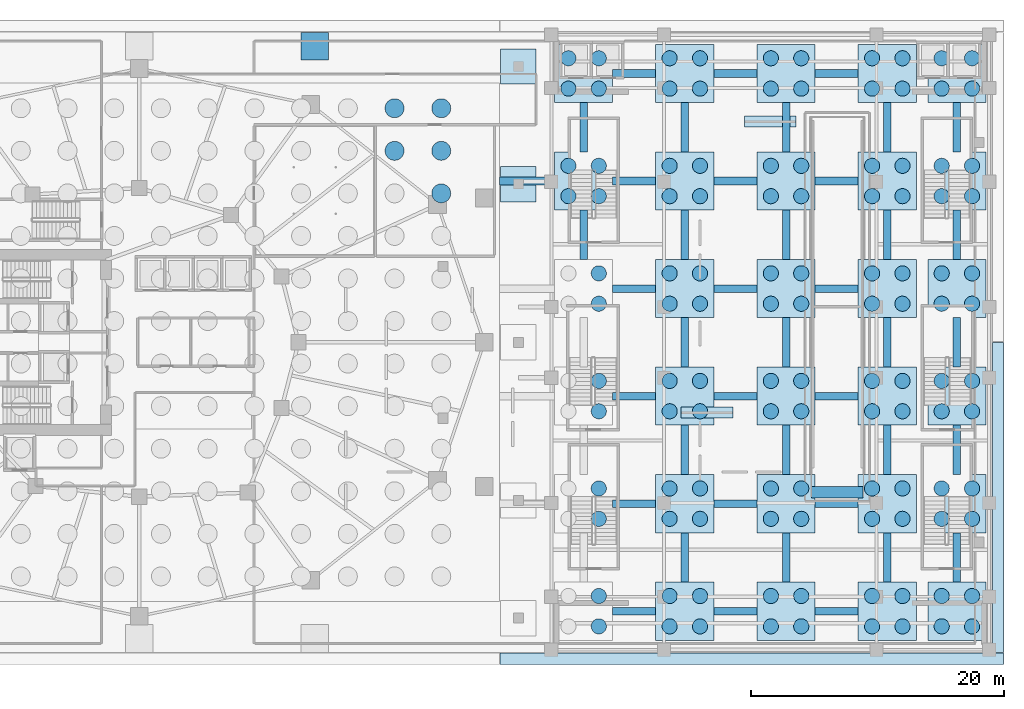
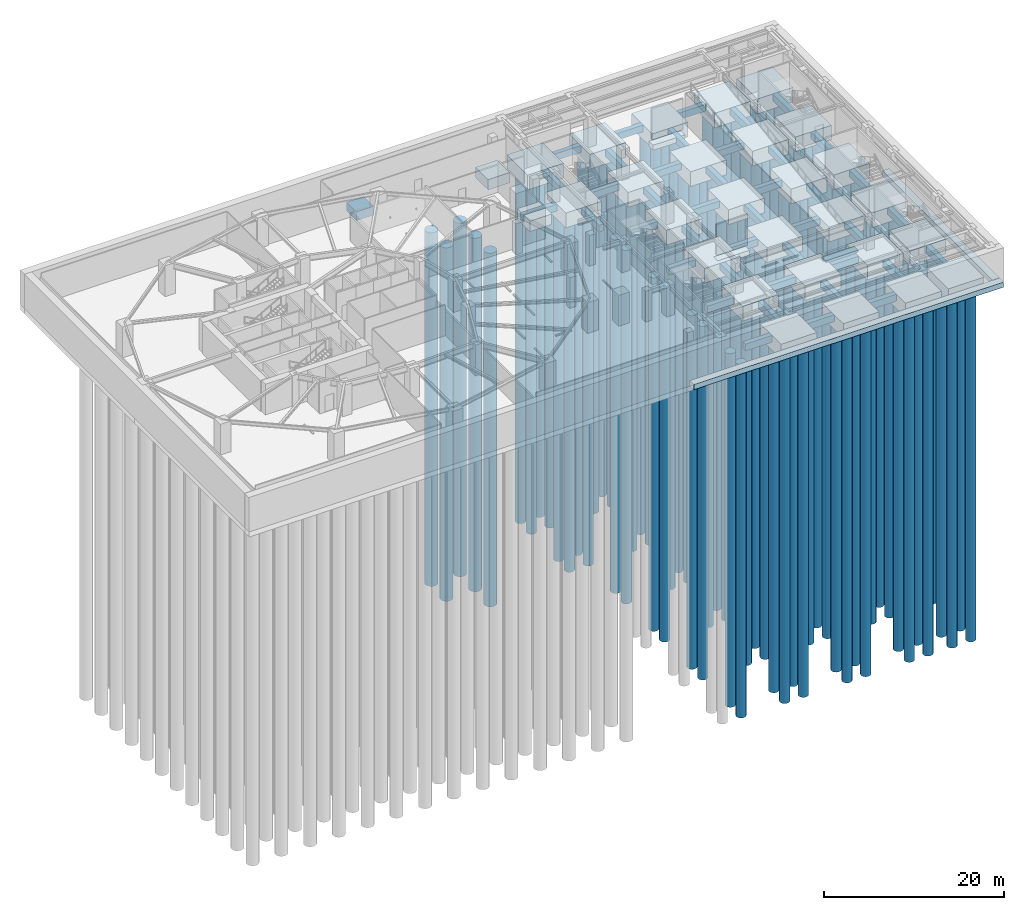
# One storey, part 2 of 19: 117 piles, 75 footings.
"""IFC4 building model written with IfcOpenShell, lengths in metres."""

from ifc_helpers import new_model, si_unit, direction, frame, origin, origin_2d, place, context, subcontext, project, spatial, polyline, rectangle, circle, outline, extrude, material, material_profile, profile_set, type_object, element, save


model = new_model("IFC4")

# Units and contexts
model_context = context("Model", 3, precision=1e-05, world=origin(), true_north=direction((0.0, 1.0)))
body_context = subcontext(model_context, "Body", "Model", "MODEL_VIEW")
ifc_project = project(units=[si_unit("LENGTHUNIT", "METRE"), si_unit("AREAUNIT", "SQUARE_METRE"), si_unit("VOLUMEUNIT", "CUBIC_METRE"), si_unit("PLANEANGLEUNIT", "RADIAN"), si_unit("MASSUNIT", "GRAM", prefix="KILO")], contexts=[model_context])

# Site, building, storey
site_placement = place(None, origin())
site = spatial("IfcSite", under=ifc_project, at=site_placement, CompositionType="ELEMENT")
building_placement = place(site_placement, origin())
building = spatial("IfcBuilding", under=site, at=building_placement, Name="Kolvaren Gate Tower and Convention Centre", CompositionType="ELEMENT")
storey_placement = place(building_placement, frame((0.0, 0.0, -13.5)))
storey = spatial("IfcBuildingStorey", under=building, at=storey_placement, Name="B3", CompositionType="ELEMENT", Elevation=-13.5)

# Footings
ifc_material_1 = material(Name="Concrete C50/60", Category="concrete")
ifc_material_profile_1 = material_profile(ifc_material_1, rectangle(XDim=0.60009765625, YDim=0.89990234375, at=origin_2d()), Name="RC-BM-600X900")
ifc_profile_set_1 = profile_set([ifc_material_profile_1], Name="Concrete C50/60")
footing_type_1 = type_object("IfcFootingType", Name="FND-GB-600X900", PredefinedType="FOOTING_BEAM", material=ifc_profile_set_1)
for number, where, z_axis, x_axis, name in (
    (1, (67.550048828125, 5.75, -0.949951171875), (1.0, 0.0, 0.0), (0.0, 1.0, 0.0), "Substructure Ground Tie Beam GB-001"),
    (2, (75.550048828125, 5.75, -0.949951171875), (1.0, 0.0, 0.0), (0.0, 1.0, 0.0), "Substructure Ground Tie Beam GB-002"),
    (3, (83.550048828125, 5.75, -0.949951171875), (1.0, 0.0, 0.0), (0.0, 1.0, 0.0), "Substructure Ground Tie Beam GB-003"),
    (4, (67.550048828125, 14.25, -0.949951171875), (1.0, 0.0, 0.0), (0.0, 1.0, 0.0), "Substructure Ground Tie Beam GB-005"),
    (5, (75.550048828125, 14.25, -0.949951171875), (1.0, 0.0, 0.0), (0.0, 1.0, 0.0), "Substructure Ground Tie Beam GB-006"),
    (6, (83.550048828125, 14.25, -0.949951171875), (1.0, 0.0, 0.0), (0.0, 1.0, 0.0), "Substructure Ground Tie Beam GB-007"),
    (7, (67.550048828125, 22.75, -0.949951171875), (1.0, 0.0, 0.0), (0.0, 1.0, 0.0), "Substructure Ground Tie Beam GB-009"),
    (8, (75.550048828125, 22.75, -0.949951171875), (1.0, 0.0, 0.0), (0.0, 1.0, 0.0), "Substructure Ground Tie Beam GB-010"),
    (9, (83.550048828125, 22.75, -0.949951171875), (1.0, 0.0, 0.0), (0.0, 1.0, 0.0), "Substructure Ground Tie Beam GB-011"),
    (10, (67.550048828125, 31.25, -0.949951171875), (1.0, 0.0, 0.0), (0.0, 1.0, 0.0), "Substructure Ground Tie Beam GB-013"),
    (11, (75.550048828125, 31.25, -0.949951171875), (1.0, 0.0, 0.0), (0.0, 1.0, 0.0), "Substructure Ground Tie Beam GB-014"),
    (12, (83.550048828125, 31.25, -0.949951171875), (1.0, 0.0, 0.0), (0.0, 1.0, 0.0), "Substructure Ground Tie Beam GB-015"),
):
    element("IfcFooting", number, at=place(storey_placement, frame(where, z_axis=z_axis, x_axis=x_axis)), inside=storey, type_object=footing_type_1, Name=name, PredefinedType="FOOTING_BEAM", context=body_context, shape_type="SweptSolid", body=[
        extrude(rectangle(XDim=0.60009765625, YDim=0.89990234375, at=origin_2d()), origin(), (0.0, 0.0, 1.0), 3.39990234375),
    ])
footing_1_placement = place(storey_placement, frame((58.60009765625, 39.75, -0.949951171875), z_axis=(1.0, 0.0, 0.0), x_axis=(0.0, 1.0, 0.0)))
element("IfcFooting", 13, at=footing_1_placement, inside=storey, type_object=footing_type_1, Name="Substructure Ground Tie Beam GB-016", PredefinedType="FOOTING_BEAM", context=body_context, shape_type="SweptSolid", body=[
    extrude(rectangle(XDim=0.60009765625, YDim=0.89990234375, at=origin_2d()), origin(), (0.0, 0.0, 1.0), 4.349853515625),
])
for number, where, z_axis, x_axis, name in (
    (14, (67.550048828125, 39.75, -0.949951171875), (1.0, 0.0, 0.0), (0.0, 1.0, 0.0), "Substructure Ground Tie Beam GB-017"),
    (15, (75.550048828125, 39.75, -0.949951171875), (1.0, 0.0, 0.0), (0.0, 1.0, 0.0), "Substructure Ground Tie Beam GB-018"),
    (16, (83.550048828125, 39.75, -0.949951171875), (1.0, 0.0, 0.0), (0.0, 1.0, 0.0), "Substructure Ground Tie Beam GB-019"),
    (17, (67.550048828125, 48.25, -0.949951171875), (1.0, 0.0, 0.0), (0.0, 1.0, 0.0), "Substructure Ground Tie Beam GB-020"),
    (18, (75.550048828125, 48.25, -0.949951171875), (1.0, 0.0, 0.0), (0.0, 1.0, 0.0), "Substructure Ground Tie Beam GB-021"),
    (19, (83.550048828125, 48.25, -0.949951171875), (1.0, 0.0, 0.0), (0.0, 1.0, 0.0), "Substructure Ground Tie Beam GB-022"),
):
    element("IfcFooting", number, at=place(storey_placement, frame(where, z_axis=z_axis, x_axis=x_axis)), inside=storey, type_object=footing_type_1, Name=name, PredefinedType="FOOTING_BEAM", context=body_context, shape_type="SweptSolid", body=[
        extrude(rectangle(XDim=0.60009765625, YDim=0.89990234375, at=origin_2d()), origin(), (0.0, 0.0, 1.0), 3.39990234375),
    ])
for number, where, z_axis, x_axis, name in (
    (20, (65.25, 33.550048828125, -0.949951171875), (0.0, 1.0, 0.0), (-1.0, 0.0, 0.0), "Substructure Ground Tie Beam GB-026"),
    (21, (65.25, 42.050048828125, -0.949951171875), (0.0, 1.0, 0.0), (-1.0, 0.0, 0.0), "Substructure Ground Tie Beam GB-027"),
    (22, (73.25, 8.050048828125, -0.949951171875), (0.0, 1.0, 0.0), (-1.0, 0.0, 0.0), "Substructure Ground Tie Beam GB-028"),
    (23, (73.25, 16.550048828125, -0.949951171875), (0.0, 1.0, 0.0), (-1.0, 0.0, 0.0), "Substructure Ground Tie Beam GB-029"),
    (24, (73.25, 25.050048828125, -0.949951171875), (0.0, 1.0, 0.0), (-1.0, 0.0, 0.0), "Substructure Ground Tie Beam GB-030"),
    (25, (73.25, 33.550048828125, -0.949951171875), (0.0, 1.0, 0.0), (-1.0, 0.0, 0.0), "Substructure Ground Tie Beam GB-031"),
    (26, (73.25, 42.050048828125, -0.949951171875), (0.0, 1.0, 0.0), (-1.0, 0.0, 0.0), "Substructure Ground Tie Beam GB-032"),
    (27, (81.25, 8.050048828125, -0.949951171875), (0.0, 1.0, 0.0), (-1.0, 0.0, 0.0), "Substructure Ground Tie Beam GB-033"),
    (28, (81.25, 16.550048828125, -0.949951171875), (0.0, 1.0, 0.0), (-1.0, 0.0, 0.0), "Substructure Ground Tie Beam GB-034"),
    (29, (81.25, 25.050048828125, -0.949951171875), (0.0, 1.0, 0.0), (-1.0, 0.0, 0.0), "Substructure Ground Tie Beam GB-035"),
    (30, (81.25, 33.550048828125, -0.949951171875), (0.0, 1.0, 0.0), (-1.0, 0.0, 0.0), "Substructure Ground Tie Beam GB-036"),
    (31, (81.25, 42.050048828125, -0.949951171875), (0.0, 1.0, 0.0), (-1.0, 0.0, 0.0), "Substructure Ground Tie Beam GB-037"),
    (32, (89.25, 8.050048828125, -0.949951171875), (0.0, 1.0, 0.0), (-1.0, 0.0, 0.0), "Substructure Ground Tie Beam GB-038"),
    (33, (89.25, 16.550048828125, -0.949951171875), (0.0, 1.0, 0.0), (-1.0, 0.0, 0.0), "Substructure Ground Tie Beam GB-039"),
    (34, (89.25, 25.050048828125, -0.949951171875), (0.0, 1.0, 0.0), (-1.0, 0.0, 0.0), "Substructure Ground Tie Beam GB-040"),
    (35, (89.25, 33.550048828125, -0.949951171875), (0.0, 1.0, 0.0), (-1.0, 0.0, 0.0), "Substructure Ground Tie Beam GB-041"),
    (36, (89.25, 42.050048828125, -0.949951171875), (0.0, 1.0, 0.0), (-1.0, 0.0, 0.0), "Substructure Ground Tie Beam GB-042"),
    (37, (94.75, 8.050048828125, -0.949951171875), (0.0, 1.0, 0.0), (-1.0, 0.0, 0.0), "Substructure Ground Tie Beam GB-043"),
    (38, (94.75, 16.550048828125, -0.949951171875), (0.0, 1.0, 0.0), (-1.0, 0.0, 0.0), "Substructure Ground Tie Beam GB-044"),
    (39, (94.75, 25.050048828125, -0.949951171875), (0.0, 1.0, 0.0), (-1.0, 0.0, 0.0), "Substructure Ground Tie Beam GB-045"),
    (40, (94.75, 33.550048828125, -0.949951171875), (0.0, 1.0, 0.0), (-1.0, 0.0, 0.0), "Substructure Ground Tie Beam GB-046"),
    (41, (94.75, 42.050048828125, -0.949951171875), (0.0, 1.0, 0.0), (-1.0, 0.0, 0.0), "Substructure Ground Tie Beam GB-047"),
):
    element("IfcFooting", number, at=place(storey_placement, frame(where, z_axis=z_axis, x_axis=x_axis)), inside=storey, type_object=footing_type_1, Name=name, PredefinedType="FOOTING_BEAM", context=body_context, shape_type="SweptSolid", body=[
        extrude(rectangle(XDim=0.60009765625, YDim=0.89990234375, at=origin_2d()), origin(), (0.0, 0.0, 1.0), 3.89990234375),
    ])
footing_type_2 = type_object("IfcFootingType", Name="FND-PAD-2200", PredefinedType="PAD_FOOTING", material=ifc_material_1)
footing_2_placement = place(storey_placement, frame((44.0, 50.39990234375, -1.7001953125), z_axis=(0.0, 0.0, 1.0), x_axis=(1.0, 0.0, 0.0)))
element("IfcFooting", 42, at=footing_2_placement, inside=storey, type_object=footing_type_2, Name="Basement Column Pad Footing PF-09", PredefinedType="PAD_FOOTING", context=body_context, shape_type="SweptSolid", body=[
    extrude(rectangle(XDim=2.199951171875, YDim=2.199951171875, at=origin_2d()), origin(), (0.0, 0.0, 1.0), 1.199951171875),
])
footing_type_3 = type_object("IfcFootingType", Name="FND-PAD-2800", PredefinedType="PAD_FOOTING", material=ifc_material_1)
for number, where, z_axis, x_axis, name in (
    (43, (60.10009765625, 39.5, -1.89990234375), (0.0, 0.0, 1.0), (1.0, 0.0, 0.0), "Basement Column Pad Footing PF-04"),
    (44, (60.10009765625, 48.800048828125, -1.89990234375), (0.0, 0.0, 1.0), (1.0, 0.0, 0.0), "Basement Column Pad Footing PF-05"),
):
    element("IfcFooting", number, at=place(storey_placement, frame(where, z_axis=z_axis, x_axis=x_axis)), inside=storey, type_object=footing_type_3, Name=name, PredefinedType="PAD_FOOTING", context=body_context, shape_type="SweptSolid", body=[
        extrude(rectangle(XDim=2.800048828125, YDim=2.800048828125, at=origin_2d()), origin(), (0.0, 0.0, 1.0), 1.39990234375),
    ])
ifc_material_2 = material(Name="Concrete C60/75", Category="concrete")
footing_type_4 = type_object("IfcFootingType", Name="FND-PCAP-4600", PredefinedType="PILE_CAP", material=ifc_material_2)
for number, where, z_axis, x_axis, name in (
    (45, (65.25, 39.75, -2.5), (0.0, 0.0, 1.0), (1.0, 0.0, 0.0), "Convention Pile Cap PCAP-C-05"),
    (46, (65.25, 48.25, -2.5), (0.0, 0.0, 1.0), (1.0, 0.0, 0.0), "Convention Pile Cap PCAP-C-06"),
    (47, (73.25, 5.75, -2.5), (0.0, 0.0, 1.0), (1.0, 0.0, 0.0), "Convention Pile Cap PCAP-C-07"),
    (48, (73.25, 14.25, -2.5), (0.0, 0.0, 1.0), (1.0, 0.0, 0.0), "Convention Pile Cap PCAP-C-08"),
    (49, (73.25, 22.75, -2.5), (0.0, 0.0, 1.0), (1.0, 0.0, 0.0), "Convention Pile Cap PCAP-C-09"),
    (50, (73.25, 31.25, -2.5), (0.0, 0.0, 1.0), (1.0, 0.0, 0.0), "Convention Pile Cap PCAP-C-10"),
    (51, (73.25, 39.75, -2.5), (0.0, 0.0, 1.0), (1.0, 0.0, 0.0), "Convention Pile Cap PCAP-C-11"),
    (52, (73.25, 48.25, -2.5), (0.0, 0.0, 1.0), (1.0, 0.0, 0.0), "Convention Pile Cap PCAP-C-12"),
    (53, (81.25, 5.75, -2.5), (0.0, 0.0, 1.0), (1.0, 0.0, 0.0), "Convention Pile Cap PCAP-C-13"),
    (54, (81.25, 14.25, -2.5), (0.0, 0.0, 1.0), (1.0, 0.0, 0.0), "Convention Pile Cap PCAP-C-14"),
    (55, (81.25, 22.75, -2.5), (0.0, 0.0, 1.0), (1.0, 0.0, 0.0), "Convention Pile Cap PCAP-C-15"),
    (56, (81.25, 31.25, -2.5), (0.0, 0.0, 1.0), (1.0, 0.0, 0.0), "Convention Pile Cap PCAP-C-16"),
    (57, (81.25, 39.75, -2.5), (0.0, 0.0, 1.0), (1.0, 0.0, 0.0), "Convention Pile Cap PCAP-C-17"),
    (58, (81.25, 48.25, -2.5), (0.0, 0.0, 1.0), (1.0, 0.0, 0.0), "Convention Pile Cap PCAP-C-18"),
    (59, (89.25, 5.75, -2.5), (0.0, 0.0, 1.0), (1.0, 0.0, 0.0), "Convention Pile Cap PCAP-C-19"),
    (60, (89.25, 14.25, -2.5), (0.0, 0.0, 1.0), (1.0, 0.0, 0.0), "Convention Pile Cap PCAP-C-20"),
    (61, (89.25, 22.75, -2.5), (0.0, 0.0, 1.0), (1.0, 0.0, 0.0), "Convention Pile Cap PCAP-C-21"),
    (62, (89.25, 31.25, -2.5), (0.0, 0.0, 1.0), (1.0, 0.0, 0.0), "Convention Pile Cap PCAP-C-22"),
    (63, (89.25, 39.75, -2.5), (0.0, 0.0, 1.0), (1.0, 0.0, 0.0), "Convention Pile Cap PCAP-C-23"),
    (64, (89.25, 48.25, -2.5), (0.0, 0.0, 1.0), (1.0, 0.0, 0.0), "Convention Pile Cap PCAP-C-24"),
    (65, (94.75, 5.75, -2.5), (0.0, 0.0, 1.0), (1.0, 0.0, 0.0), "Convention Pile Cap PCAP-C-25"),
    (66, (94.75, 14.25, -2.5), (0.0, 0.0, 1.0), (1.0, 0.0, 0.0), "Convention Pile Cap PCAP-C-26"),
    (67, (94.75, 22.75, -2.5), (0.0, 0.0, 1.0), (1.0, 0.0, 0.0), "Convention Pile Cap PCAP-C-27"),
    (68, (94.75, 31.25, -2.5), (0.0, 0.0, 1.0), (1.0, 0.0, 0.0), "Convention Pile Cap PCAP-C-28"),
    (69, (94.75, 39.75, -2.5), (0.0, 0.0, 1.0), (1.0, 0.0, 0.0), "Convention Pile Cap PCAP-C-29"),
    (70, (94.75, 48.25, -2.5), (0.0, 0.0, 1.0), (1.0, 0.0, 0.0), "Convention Pile Cap PCAP-C-30"),
):
    element("IfcFooting", number, at=place(storey_placement, frame(where, z_axis=z_axis, x_axis=x_axis)), inside=storey, type_object=footing_type_4, Name=name, PredefinedType="PILE_CAP", context=body_context, shape_type="SweptSolid", body=[
        extrude(rectangle(XDim=4.60009765625, YDim=4.60009765625, at=origin_2d()), origin(), (0.0, 0.0, 1.0), 2.0),
    ])

# Piles
ifc_material_profile_2 = material_profile(ifc_material_1, circle(Radius=0.60009765625, at=origin_2d()), Name="CAISSON-D1200")
ifc_profile_set_2 = profile_set([ifc_material_profile_2], Name="Concrete C50/60")
pile_type_1 = type_object("IfcPileType", Name="FND-PILE-D1200", PredefinedType="BORED", material=ifc_profile_set_2)
for number, where, z_axis, x_axis, name in (
    (71, (66.449951171875, 4.550048828125, -1.89990234375), (0.0, 0.0, -1.0), (1.0, 0.0, 0.0), "Bored Rock-Socketed Caisson PILE-C-171"),
    (72, (66.449951171875, 6.949951171875, -1.89990234375), (0.0, 0.0, -1.0), (1.0, 0.0, 0.0), "Bored Rock-Socketed Caisson PILE-C-172"),
    (73, (66.449951171875, 13.050048828125, -1.89990234375), (0.0, 0.0, -1.0), (1.0, 0.0, 0.0), "Bored Rock-Socketed Caisson PILE-C-175"),
    (74, (66.449951171875, 15.449951171875, -1.89990234375), (0.0, 0.0, -1.0), (1.0, 0.0, 0.0), "Bored Rock-Socketed Caisson PILE-C-176"),
    (75, (66.449951171875, 21.550048828125, -1.89990234375), (0.0, 0.0, -1.0), (1.0, 0.0, 0.0), "Bored Rock-Socketed Caisson PILE-C-179"),
    (76, (66.449951171875, 23.949951171875, -1.89990234375), (0.0, 0.0, -1.0), (1.0, 0.0, 0.0), "Bored Rock-Socketed Caisson PILE-C-180"),
    (77, (66.449951171875, 30.050048828125, -1.89990234375), (0.0, 0.0, -1.0), (1.0, 0.0, 0.0), "Bored Rock-Socketed Caisson PILE-C-183"),
    (78, (66.449951171875, 32.449951171875, -1.89990234375), (0.0, 0.0, -1.0), (1.0, 0.0, 0.0), "Bored Rock-Socketed Caisson PILE-C-184"),
    (79, (64.050048828125, 38.550048828125, -1.89990234375), (0.0, 0.0, -1.0), (1.0, 0.0, 0.0), "Bored Rock-Socketed Caisson PILE-C-185"),
    (80, (64.050048828125, 40.949951171875, -1.89990234375), (0.0, 0.0, -1.0), (1.0, 0.0, 0.0), "Bored Rock-Socketed Caisson PILE-C-186"),
    (81, (66.449951171875, 38.550048828125, -1.89990234375), (0.0, 0.0, -1.0), (1.0, 0.0, 0.0), "Bored Rock-Socketed Caisson PILE-C-187"),
    (82, (66.449951171875, 40.949951171875, -1.89990234375), (0.0, 0.0, -1.0), (1.0, 0.0, 0.0), "Bored Rock-Socketed Caisson PILE-C-188"),
    (83, (64.050048828125, 47.050048828125, -1.89990234375), (0.0, 0.0, -1.0), (1.0, 0.0, 0.0), "Bored Rock-Socketed Caisson PILE-C-189"),
    (84, (64.050048828125, 49.449951171875, -1.89990234375), (0.0, 0.0, -1.0), (1.0, 0.0, 0.0), "Bored Rock-Socketed Caisson PILE-C-190"),
    (85, (66.449951171875, 47.050048828125, -1.89990234375), (0.0, 0.0, -1.0), (1.0, 0.0, 0.0), "Bored Rock-Socketed Caisson PILE-C-191"),
    (86, (66.449951171875, 49.449951171875, -1.89990234375), (0.0, 0.0, -1.0), (1.0, 0.0, 0.0), "Bored Rock-Socketed Caisson PILE-C-192"),
    (87, (72.050048828125, 4.550048828125, -1.89990234375), (0.0, 0.0, -1.0), (1.0, 0.0, 0.0), "Bored Rock-Socketed Caisson PILE-C-193"),
    (88, (72.050048828125, 6.949951171875, -1.89990234375), (0.0, 0.0, -1.0), (1.0, 0.0, 0.0), "Bored Rock-Socketed Caisson PILE-C-194"),
    (89, (74.449951171875, 4.550048828125, -1.89990234375), (0.0, 0.0, -1.0), (1.0, 0.0, 0.0), "Bored Rock-Socketed Caisson PILE-C-195"),
    (90, (74.449951171875, 6.949951171875, -1.89990234375), (0.0, 0.0, -1.0), (1.0, 0.0, 0.0), "Bored Rock-Socketed Caisson PILE-C-196"),
    (91, (72.050048828125, 13.050048828125, -1.89990234375), (0.0, 0.0, -1.0), (1.0, 0.0, 0.0), "Bored Rock-Socketed Caisson PILE-C-197"),
    (92, (72.050048828125, 15.449951171875, -1.89990234375), (0.0, 0.0, -1.0), (1.0, 0.0, 0.0), "Bored Rock-Socketed Caisson PILE-C-198"),
    (93, (74.449951171875, 13.050048828125, -1.89990234375), (0.0, 0.0, -1.0), (1.0, 0.0, 0.0), "Bored Rock-Socketed Caisson PILE-C-199"),
    (94, (74.449951171875, 15.449951171875, -1.89990234375), (0.0, 0.0, -1.0), (1.0, 0.0, 0.0), "Bored Rock-Socketed Caisson PILE-C-200"),
    (95, (72.050048828125, 21.550048828125, -1.89990234375), (0.0, 0.0, -1.0), (1.0, 0.0, 0.0), "Bored Rock-Socketed Caisson PILE-C-201"),
    (96, (72.050048828125, 23.949951171875, -1.89990234375), (0.0, 0.0, -1.0), (1.0, 0.0, 0.0), "Bored Rock-Socketed Caisson PILE-C-202"),
    (97, (74.449951171875, 21.550048828125, -1.89990234375), (0.0, 0.0, -1.0), (1.0, 0.0, 0.0), "Bored Rock-Socketed Caisson PILE-C-203"),
    (98, (74.449951171875, 23.949951171875, -1.89990234375), (0.0, 0.0, -1.0), (1.0, 0.0, 0.0), "Bored Rock-Socketed Caisson PILE-C-204"),
    (99, (72.050048828125, 30.050048828125, -1.89990234375), (0.0, 0.0, -1.0), (1.0, 0.0, 0.0), "Bored Rock-Socketed Caisson PILE-C-205"),
    (100, (72.050048828125, 32.449951171875, -1.89990234375), (0.0, 0.0, -1.0), (1.0, 0.0, 0.0), "Bored Rock-Socketed Caisson PILE-C-206"),
    (101, (74.449951171875, 30.050048828125, -1.89990234375), (0.0, 0.0, -1.0), (1.0, 0.0, 0.0), "Bored Rock-Socketed Caisson PILE-C-207"),
    (102, (74.449951171875, 32.449951171875, -1.89990234375), (0.0, 0.0, -1.0), (1.0, 0.0, 0.0), "Bored Rock-Socketed Caisson PILE-C-208"),
    (103, (72.050048828125, 38.550048828125, -1.89990234375), (0.0, 0.0, -1.0), (1.0, 0.0, 0.0), "Bored Rock-Socketed Caisson PILE-C-209"),
    (104, (72.050048828125, 40.949951171875, -1.89990234375), (0.0, 0.0, -1.0), (1.0, 0.0, 0.0), "Bored Rock-Socketed Caisson PILE-C-210"),
    (105, (74.449951171875, 38.550048828125, -1.89990234375), (0.0, 0.0, -1.0), (1.0, 0.0, 0.0), "Bored Rock-Socketed Caisson PILE-C-211"),
    (106, (74.449951171875, 40.949951171875, -1.89990234375), (0.0, 0.0, -1.0), (1.0, 0.0, 0.0), "Bored Rock-Socketed Caisson PILE-C-212"),
    (107, (72.050048828125, 47.050048828125, -1.89990234375), (0.0, 0.0, -1.0), (1.0, 0.0, 0.0), "Bored Rock-Socketed Caisson PILE-C-213"),
    (108, (72.050048828125, 49.449951171875, -1.89990234375), (0.0, 0.0, -1.0), (1.0, 0.0, 0.0), "Bored Rock-Socketed Caisson PILE-C-214"),
    (109, (74.449951171875, 47.050048828125, -1.89990234375), (0.0, 0.0, -1.0), (1.0, 0.0, 0.0), "Bored Rock-Socketed Caisson PILE-C-215"),
    (110, (74.449951171875, 49.449951171875, -1.89990234375), (0.0, 0.0, -1.0), (1.0, 0.0, 0.0), "Bored Rock-Socketed Caisson PILE-C-216"),
    (111, (80.050048828125, 4.550048828125, -1.89990234375), (0.0, 0.0, -1.0), (1.0, 0.0, 0.0), "Bored Rock-Socketed Caisson PILE-C-217"),
    (112, (80.050048828125, 6.949951171875, -1.89990234375), (0.0, 0.0, -1.0), (1.0, 0.0, 0.0), "Bored Rock-Socketed Caisson PILE-C-218"),
    (113, (82.449951171875, 4.550048828125, -1.89990234375), (0.0, 0.0, -1.0), (1.0, 0.0, 0.0), "Bored Rock-Socketed Caisson PILE-C-219"),
    (114, (82.449951171875, 6.949951171875, -1.89990234375), (0.0, 0.0, -1.0), (1.0, 0.0, 0.0), "Bored Rock-Socketed Caisson PILE-C-220"),
    (115, (80.050048828125, 13.050048828125, -1.89990234375), (0.0, 0.0, -1.0), (1.0, 0.0, 0.0), "Bored Rock-Socketed Caisson PILE-C-221"),
    (116, (80.050048828125, 15.449951171875, -1.89990234375), (0.0, 0.0, -1.0), (1.0, 0.0, 0.0), "Bored Rock-Socketed Caisson PILE-C-222"),
    (117, (82.449951171875, 13.050048828125, -1.89990234375), (0.0, 0.0, -1.0), (1.0, 0.0, 0.0), "Bored Rock-Socketed Caisson PILE-C-223"),
    (118, (82.449951171875, 15.449951171875, -1.89990234375), (0.0, 0.0, -1.0), (1.0, 0.0, 0.0), "Bored Rock-Socketed Caisson PILE-C-224"),
    (119, (80.050048828125, 21.550048828125, -1.89990234375), (0.0, 0.0, -1.0), (1.0, 0.0, 0.0), "Bored Rock-Socketed Caisson PILE-C-225"),
    (120, (80.050048828125, 23.949951171875, -1.89990234375), (0.0, 0.0, -1.0), (1.0, 0.0, 0.0), "Bored Rock-Socketed Caisson PILE-C-226"),
    (121, (82.449951171875, 21.550048828125, -1.89990234375), (0.0, 0.0, -1.0), (1.0, 0.0, 0.0), "Bored Rock-Socketed Caisson PILE-C-227"),
    (122, (82.449951171875, 23.949951171875, -1.89990234375), (0.0, 0.0, -1.0), (1.0, 0.0, 0.0), "Bored Rock-Socketed Caisson PILE-C-228"),
    (123, (80.050048828125, 30.050048828125, -1.89990234375), (0.0, 0.0, -1.0), (1.0, 0.0, 0.0), "Bored Rock-Socketed Caisson PILE-C-229"),
    (124, (80.050048828125, 32.449951171875, -1.89990234375), (0.0, 0.0, -1.0), (1.0, 0.0, 0.0), "Bored Rock-Socketed Caisson PILE-C-230"),
    (125, (82.449951171875, 30.050048828125, -1.89990234375), (0.0, 0.0, -1.0), (1.0, 0.0, 0.0), "Bored Rock-Socketed Caisson PILE-C-231"),
    (126, (82.449951171875, 32.449951171875, -1.89990234375), (0.0, 0.0, -1.0), (1.0, 0.0, 0.0), "Bored Rock-Socketed Caisson PILE-C-232"),
    (127, (80.050048828125, 38.550048828125, -1.89990234375), (0.0, 0.0, -1.0), (1.0, 0.0, 0.0), "Bored Rock-Socketed Caisson PILE-C-233"),
    (128, (80.050048828125, 40.949951171875, -1.89990234375), (0.0, 0.0, -1.0), (1.0, 0.0, 0.0), "Bored Rock-Socketed Caisson PILE-C-234"),
    (129, (82.449951171875, 38.550048828125, -1.89990234375), (0.0, 0.0, -1.0), (1.0, 0.0, 0.0), "Bored Rock-Socketed Caisson PILE-C-235"),
    (130, (82.449951171875, 40.949951171875, -1.89990234375), (0.0, 0.0, -1.0), (1.0, 0.0, 0.0), "Bored Rock-Socketed Caisson PILE-C-236"),
    (131, (80.050048828125, 47.050048828125, -1.89990234375), (0.0, 0.0, -1.0), (1.0, 0.0, 0.0), "Bored Rock-Socketed Caisson PILE-C-237"),
    (132, (80.050048828125, 49.449951171875, -1.89990234375), (0.0, 0.0, -1.0), (1.0, 0.0, 0.0), "Bored Rock-Socketed Caisson PILE-C-238"),
    (133, (82.449951171875, 47.050048828125, -1.89990234375), (0.0, 0.0, -1.0), (1.0, 0.0, 0.0), "Bored Rock-Socketed Caisson PILE-C-239"),
    (134, (82.449951171875, 49.449951171875, -1.89990234375), (0.0, 0.0, -1.0), (1.0, 0.0, 0.0), "Bored Rock-Socketed Caisson PILE-C-240"),
    (135, (88.050048828125, 4.550048828125, -1.89990234375), (0.0, 0.0, -1.0), (1.0, 0.0, 0.0), "Bored Rock-Socketed Caisson PILE-C-241"),
    (136, (88.050048828125, 6.949951171875, -1.89990234375), (0.0, 0.0, -1.0), (1.0, 0.0, 0.0), "Bored Rock-Socketed Caisson PILE-C-242"),
    (137, (90.449951171875, 4.550048828125, -1.89990234375), (0.0, 0.0, -1.0), (1.0, 0.0, 0.0), "Bored Rock-Socketed Caisson PILE-C-243"),
    (138, (90.449951171875, 6.949951171875, -1.89990234375), (0.0, 0.0, -1.0), (1.0, 0.0, 0.0), "Bored Rock-Socketed Caisson PILE-C-244"),
    (139, (88.050048828125, 13.050048828125, -1.89990234375), (0.0, 0.0, -1.0), (1.0, 0.0, 0.0), "Bored Rock-Socketed Caisson PILE-C-245"),
    (140, (88.050048828125, 15.449951171875, -1.89990234375), (0.0, 0.0, -1.0), (1.0, 0.0, 0.0), "Bored Rock-Socketed Caisson PILE-C-246"),
    (141, (90.449951171875, 13.050048828125, -1.89990234375), (0.0, 0.0, -1.0), (1.0, 0.0, 0.0), "Bored Rock-Socketed Caisson PILE-C-247"),
    (142, (90.449951171875, 15.449951171875, -1.89990234375), (0.0, 0.0, -1.0), (1.0, 0.0, 0.0), "Bored Rock-Socketed Caisson PILE-C-248"),
    (143, (88.050048828125, 21.550048828125, -1.89990234375), (0.0, 0.0, -1.0), (1.0, 0.0, 0.0), "Bored Rock-Socketed Caisson PILE-C-249"),
    (144, (88.050048828125, 23.949951171875, -1.89990234375), (0.0, 0.0, -1.0), (1.0, 0.0, 0.0), "Bored Rock-Socketed Caisson PILE-C-250"),
    (145, (90.449951171875, 21.550048828125, -1.89990234375), (0.0, 0.0, -1.0), (1.0, 0.0, 0.0), "Bored Rock-Socketed Caisson PILE-C-251"),
    (146, (90.449951171875, 23.949951171875, -1.89990234375), (0.0, 0.0, -1.0), (1.0, 0.0, 0.0), "Bored Rock-Socketed Caisson PILE-C-252"),
    (147, (88.050048828125, 30.050048828125, -1.89990234375), (0.0, 0.0, -1.0), (1.0, 0.0, 0.0), "Bored Rock-Socketed Caisson PILE-C-253"),
    (148, (88.050048828125, 32.449951171875, -1.89990234375), (0.0, 0.0, -1.0), (1.0, 0.0, 0.0), "Bored Rock-Socketed Caisson PILE-C-254"),
    (149, (90.449951171875, 30.050048828125, -1.89990234375), (0.0, 0.0, -1.0), (1.0, 0.0, 0.0), "Bored Rock-Socketed Caisson PILE-C-255"),
    (150, (90.449951171875, 32.449951171875, -1.89990234375), (0.0, 0.0, -1.0), (1.0, 0.0, 0.0), "Bored Rock-Socketed Caisson PILE-C-256"),
    (151, (88.050048828125, 38.550048828125, -1.89990234375), (0.0, 0.0, -1.0), (1.0, 0.0, 0.0), "Bored Rock-Socketed Caisson PILE-C-257"),
    (152, (88.050048828125, 40.949951171875, -1.89990234375), (0.0, 0.0, -1.0), (1.0, 0.0, 0.0), "Bored Rock-Socketed Caisson PILE-C-258"),
    (153, (90.449951171875, 38.550048828125, -1.89990234375), (0.0, 0.0, -1.0), (1.0, 0.0, 0.0), "Bored Rock-Socketed Caisson PILE-C-259"),
    (154, (90.449951171875, 40.949951171875, -1.89990234375), (0.0, 0.0, -1.0), (1.0, 0.0, 0.0), "Bored Rock-Socketed Caisson PILE-C-260"),
    (155, (88.050048828125, 47.050048828125, -1.89990234375), (0.0, 0.0, -1.0), (1.0, 0.0, 0.0), "Bored Rock-Socketed Caisson PILE-C-261"),
    (156, (88.050048828125, 49.449951171875, -1.89990234375), (0.0, 0.0, -1.0), (1.0, 0.0, 0.0), "Bored Rock-Socketed Caisson PILE-C-262"),
    (157, (90.449951171875, 47.050048828125, -1.89990234375), (0.0, 0.0, -1.0), (1.0, 0.0, 0.0), "Bored Rock-Socketed Caisson PILE-C-263"),
    (158, (90.449951171875, 49.449951171875, -1.89990234375), (0.0, 0.0, -1.0), (1.0, 0.0, 0.0), "Bored Rock-Socketed Caisson PILE-C-264"),
    (159, (93.550048828125, 4.550048828125, -1.89990234375), (0.0, 0.0, -1.0), (1.0, 0.0, 0.0), "Bored Rock-Socketed Caisson PILE-C-265"),
    (160, (93.550048828125, 6.949951171875, -1.89990234375), (0.0, 0.0, -1.0), (1.0, 0.0, 0.0), "Bored Rock-Socketed Caisson PILE-C-266"),
    (161, (95.949951171875, 4.550048828125, -1.89990234375), (0.0, 0.0, -1.0), (1.0, 0.0, 0.0), "Bored Rock-Socketed Caisson PILE-C-267"),
    (162, (95.949951171875, 6.949951171875, -1.89990234375), (0.0, 0.0, -1.0), (1.0, 0.0, 0.0), "Bored Rock-Socketed Caisson PILE-C-268"),
    (163, (93.550048828125, 13.050048828125, -1.89990234375), (0.0, 0.0, -1.0), (1.0, 0.0, 0.0), "Bored Rock-Socketed Caisson PILE-C-269"),
    (164, (93.550048828125, 15.449951171875, -1.89990234375), (0.0, 0.0, -1.0), (1.0, 0.0, 0.0), "Bored Rock-Socketed Caisson PILE-C-270"),
    (165, (95.949951171875, 13.050048828125, -1.89990234375), (0.0, 0.0, -1.0), (1.0, 0.0, 0.0), "Bored Rock-Socketed Caisson PILE-C-271"),
    (166, (95.949951171875, 15.449951171875, -1.89990234375), (0.0, 0.0, -1.0), (1.0, 0.0, 0.0), "Bored Rock-Socketed Caisson PILE-C-272"),
    (167, (93.550048828125, 21.550048828125, -1.89990234375), (0.0, 0.0, -1.0), (1.0, 0.0, 0.0), "Bored Rock-Socketed Caisson PILE-C-273"),
    (168, (93.550048828125, 23.949951171875, -1.89990234375), (0.0, 0.0, -1.0), (1.0, 0.0, 0.0), "Bored Rock-Socketed Caisson PILE-C-274"),
    (169, (95.949951171875, 21.550048828125, -1.89990234375), (0.0, 0.0, -1.0), (1.0, 0.0, 0.0), "Bored Rock-Socketed Caisson PILE-C-275"),
    (170, (95.949951171875, 23.949951171875, -1.89990234375), (0.0, 0.0, -1.0), (1.0, 0.0, 0.0), "Bored Rock-Socketed Caisson PILE-C-276"),
    (171, (93.550048828125, 30.050048828125, -1.89990234375), (0.0, 0.0, -1.0), (1.0, 0.0, 0.0), "Bored Rock-Socketed Caisson PILE-C-277"),
    (172, (93.550048828125, 32.449951171875, -1.89990234375), (0.0, 0.0, -1.0), (1.0, 0.0, 0.0), "Bored Rock-Socketed Caisson PILE-C-278"),
    (173, (95.949951171875, 30.050048828125, -1.89990234375), (0.0, 0.0, -1.0), (1.0, 0.0, 0.0), "Bored Rock-Socketed Caisson PILE-C-279"),
    (174, (95.949951171875, 32.449951171875, -1.89990234375), (0.0, 0.0, -1.0), (1.0, 0.0, 0.0), "Bored Rock-Socketed Caisson PILE-C-280"),
    (175, (93.550048828125, 38.550048828125, -1.89990234375), (0.0, 0.0, -1.0), (1.0, 0.0, 0.0), "Bored Rock-Socketed Caisson PILE-C-281"),
    (176, (93.550048828125, 40.949951171875, -1.89990234375), (0.0, 0.0, -1.0), (1.0, 0.0, 0.0), "Bored Rock-Socketed Caisson PILE-C-282"),
    (177, (95.949951171875, 38.550048828125, -1.89990234375), (0.0, 0.0, -1.0), (1.0, 0.0, 0.0), "Bored Rock-Socketed Caisson PILE-C-283"),
    (178, (95.949951171875, 40.949951171875, -1.89990234375), (0.0, 0.0, -1.0), (1.0, 0.0, 0.0), "Bored Rock-Socketed Caisson PILE-C-284"),
    (179, (93.550048828125, 47.050048828125, -1.89990234375), (0.0, 0.0, -1.0), (1.0, 0.0, 0.0), "Bored Rock-Socketed Caisson PILE-C-285"),
    (180, (93.550048828125, 49.449951171875, -1.89990234375), (0.0, 0.0, -1.0), (1.0, 0.0, 0.0), "Bored Rock-Socketed Caisson PILE-C-286"),
    (181, (95.949951171875, 47.050048828125, -1.89990234375), (0.0, 0.0, -1.0), (1.0, 0.0, 0.0), "Bored Rock-Socketed Caisson PILE-C-287"),
    (182, (95.949951171875, 49.449951171875, -1.89990234375), (0.0, 0.0, -1.0), (1.0, 0.0, 0.0), "Bored Rock-Socketed Caisson PILE-C-288"),
):
    element("IfcPile", number, at=place(storey_placement, frame(where, z_axis=z_axis, x_axis=x_axis)), inside=storey, type_object=pile_type_1, Name=name, PredefinedType="BORED", context=body_context, shape_type="SweptSolid", body=[
        extrude(circle(Radius=0.60009765625, at=origin_2d()), origin(), (0.0, 0.0, 1.0), 48.0),
    ])
ifc_material_profile_3 = material_profile(ifc_material_1, circle(Radius=0.75, at=origin_2d()), Name="CAISSON-D1500")
ifc_profile_set_3 = profile_set([ifc_material_profile_3], Name="Concrete C50/60")
pile_type_2 = type_object("IfcPileType", Name="FND-PILE-D1500", PredefinedType="BORED", material=ifc_profile_set_3)
for number, where, z_axis, x_axis, name in (
    (183, (50.30810546875, 42.135986328125, -3.10009765625), (0.0, 0.0, -1.0), (1.0, 0.0, 0.0), "Bored Rock-Socketed Caisson PILE-T-155"),
    (184, (50.30810546875, 45.5, -3.10009765625), (0.0, 0.0, -1.0), (1.0, 0.0, 0.0), "Bored Rock-Socketed Caisson PILE-T-156"),
    (185, (54.0, 38.77294921875, -3.10009765625), (0.0, 0.0, -1.0), (1.0, 0.0, 0.0), "Bored Rock-Socketed Caisson PILE-T-166"),
    (186, (54.0, 42.135986328125, -3.10009765625), (0.0, 0.0, -1.0), (1.0, 0.0, 0.0), "Bored Rock-Socketed Caisson PILE-T-167"),
    (187, (54.0, 45.5, -3.10009765625), (0.0, 0.0, -1.0), (1.0, 0.0, 0.0), "Bored Rock-Socketed Caisson PILE-T-168"),
):
    element("IfcPile", number, at=place(storey_placement, frame(where, z_axis=z_axis, x_axis=x_axis)), inside=storey, type_object=pile_type_2, Name=name, PredefinedType="BORED", context=body_context, shape_type="SweptSolid", body=[
        extrude(circle(Radius=0.75, at=origin_2d()), origin(), (0.0, 0.0, 1.0), 48.0),
    ])

# Footings
footing_type_5 = type_object("IfcFootingType", Name="FND-SF-900X700", PredefinedType="STRIP_FOOTING", material=ifc_material_1)
footing_3_placement = place(storey_placement, frame((0.0, 0.0, -1.199951171875)))
element("IfcFooting", 188, at=footing_3_placement, inside=storey, type_object=footing_type_5, Name="Diaphragm Wall Strip Footing SF-S-E", PredefinedType="STRIP_FOOTING", context=body_context, shape_type="SweptSolid", body=[
    extrude(outline(polyline([(58.64990234375, 1.550048828125), (98.449951171875, 1.550048828125), (98.449951171875, 2.449951171875), (58.64990234375, 2.449951171875), (58.64990234375, 1.550048828125)])), origin(), (0.0, 0.0, 1.0), 0.699951171875),
])
footing_4_placement = place(storey_placement, frame((0.0, 0.0, -1.199951171875)))
element("IfcFooting", 189, at=footing_4_placement, inside=storey, type_object=footing_type_5, Name="Diaphragm Wall Strip Footing SF-E-S", PredefinedType="STRIP_FOOTING", context=body_context, shape_type="SweptSolid", body=[
    extrude(outline(polyline([(97.550048828125, 2.5), (98.449951171875, 2.5), (98.449951171875, 27.0), (97.550048828125, 27.0), (97.550048828125, 2.5)])), origin(), (0.0, 0.0, 1.0), 0.699951171875),
])
footing_5_placement = place(storey_placement, frame((0.0, 0.0, -1.199951171875)))
element("IfcFooting", 190, at=footing_5_placement, inside=storey, type_object=footing_type_5, Name="Vehicle Ramp VR-01 Substructure Strip Footing", PredefinedType="STRIP_FOOTING", context=body_context, shape_type="SweptSolid", body=[
    extrude(outline(polyline([(72.949951171875, 21.0), (77.050048828125, 21.0), (77.050048828125, 21.89990234375), (72.949951171875, 21.89990234375), (72.949951171875, 21.0)])), origin(), (0.0, 0.0, 1.0), 0.699951171875),
])
footing_6_placement = place(storey_placement, frame((0.0, 0.0, -1.199951171875)))
element("IfcFooting", 191, at=footing_6_placement, inside=storey, type_object=footing_type_5, Name="Vehicle Ramp VR-02 Substructure Strip Footing", PredefinedType="STRIP_FOOTING", context=body_context, shape_type="SweptSolid", body=[
    extrude(outline(polyline([(77.949951171875, 44.0), (82.050048828125, 44.0), (82.050048828125, 44.89990234375), (77.949951171875, 44.89990234375), (77.949951171875, 44.0)])), origin(), (0.0, 0.0, 1.0), 0.699951171875),
])
footing_7_placement = place(storey_placement, frame((0.0, 0.0, -1.199951171875)))
element("IfcFooting", 192, at=footing_7_placement, inside=storey, type_object=footing_type_5, Name="Vehicle Ramp VR-03 Toe Strip Footing", PredefinedType="STRIP_FOOTING", context=body_context, shape_type="SweptSolid", body=[
    extrude(outline(polyline([(83.25, 14.699951171875), (87.35009765625, 14.699951171875), (87.35009765625, 15.60009765625), (83.25, 15.60009765625), (83.25, 14.699951171875)])), origin(), (0.0, 0.0, 1.0), 0.89501953125),
])

save(model, "model.ifc")
